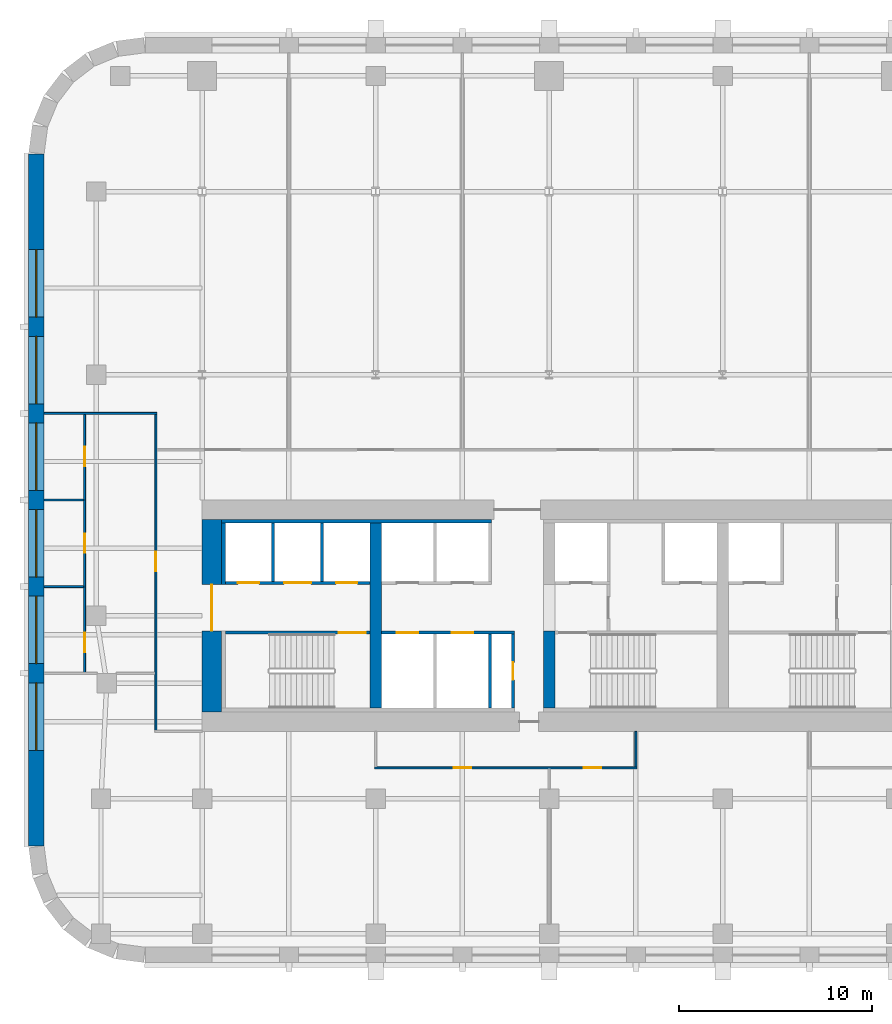
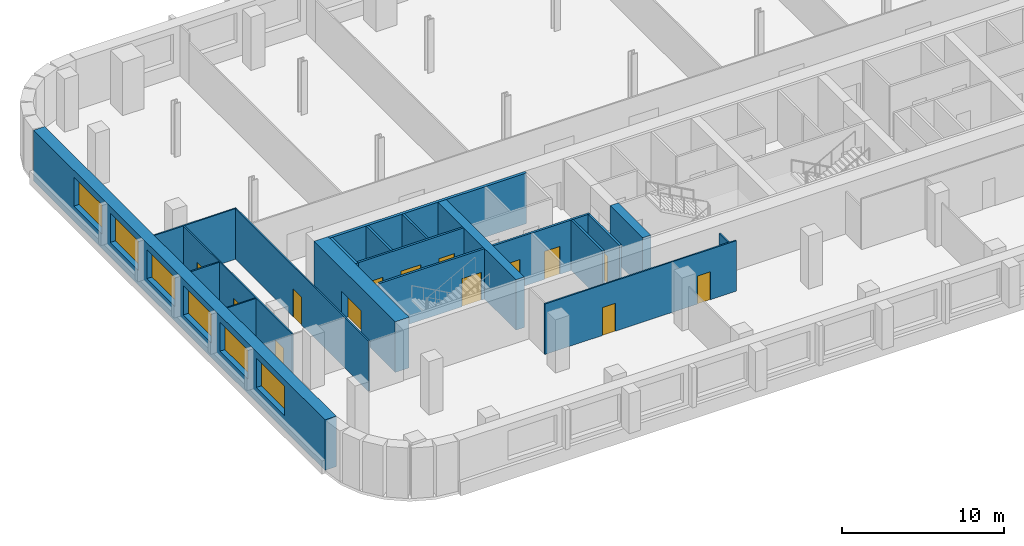
# One storey, part 3 of 9: 20 walls, 14 doors, 6 windows, 20 openings.
"""IFC4 building model written with IfcOpenShell, lengths in metres."""

from ifc_helpers import new_model, si_unit, direction, frame, frame_2d, origin, place, context, subcontext, project, spatial, rectangle, extrude, material, layer, layer_set, type_object, element, fill, save


model = new_model("IFC4")

# Units and contexts
model_context = context("Model", 3, precision=1e-05, world=origin(), true_north=direction((0.0, 1.0)))
body_context = subcontext(model_context, "Body", "Model", "MODEL_VIEW")
ifc_project = project(units=[si_unit("LENGTHUNIT", "METRE"), si_unit("AREAUNIT", "SQUARE_METRE"), si_unit("VOLUMEUNIT", "CUBIC_METRE"), si_unit("PLANEANGLEUNIT", "RADIAN"), si_unit("MASSUNIT", "GRAM", prefix="KILO")], contexts=[model_context])

# Site, building, storey
site_placement = place(None, origin())
site = spatial("IfcSite", under=ifc_project, at=site_placement, CompositionType="ELEMENT")
building_placement = place(site_placement, origin())
building = spatial("IfcBuilding", under=site, at=building_placement, Name="Zellij Exchange Tower", CompositionType="ELEMENT")
storey_placement = place(building_placement, frame((0.0, 0.0, 140.5)))
storey = spatial("IfcBuildingStorey", under=building, at=storey_placement, Name="L31", CompositionType="ELEMENT", Elevation=140.5)

# Walls
ifc_material_1 = material(Name="Concrete C70/85", Category="concrete")
ifc_layer_1 = layer(ifc_material_1, 0.60009765625)
ifc_layer_set_1 = layer_set([ifc_layer_1], Name="Concrete C70/85")
wall_type_1 = type_object("IfcWallType", Name="CORE-CW 600 C70/85", PredefinedType="SHEAR", material=ifc_layer_set_1)
wall_1_placement = place(storey_placement, frame((-18.0, -12.800048828125, 0.0), z_axis=(0.0, 0.0, 1.0), x_axis=(0.0, 1.0, 0.0)))
element("IfcWall", 1, at=wall_1_placement, inside=storey, type_object=wall_type_1, Name="Core cross wall x -18 L31", PredefinedType="SHEAR", context=body_context, shape_type="SweptSolid", body=[
    extrude(rectangle(XDim=9.60009765625, YDim=0.60009765625, at=frame_2d((4.800048828125, 0.0))), origin(), (0.0, 0.0, 1.0), 3.800048828125),
])
wall_2_placement = place(storey_placement, frame((-9.0, -12.800048828125, 0.0), z_axis=(0.0, 0.0, 1.0), x_axis=(0.0, 1.0, 0.0)))
element("IfcWall", 2, at=wall_2_placement, inside=storey, type_object=wall_type_1, Name="Core cross wall pier x -9 a L31", PredefinedType="SHEAR", context=body_context, shape_type="SweptSolid", body=[
    extrude(rectangle(XDim=4.0, YDim=0.60009765625, at=frame_2d((2.0, 0.0))), origin(), (0.0, 0.0, 1.0), 3.800048828125),
])
ifc_material_2 = material(Name="Concrete C30/37", Category="concrete")
ifc_layer_2 = layer(ifc_material_2, 0.199951171875)
ifc_layer_set_2 = layer_set([ifc_layer_2], Name="Concrete C30/37")
wall_type_2 = type_object("IfcWallType", Name="CORE-LW 200 C30/37", PredefinedType="SHEAR", material=ifc_layer_set_2)
wall_3_placement = place(storey_placement, frame((-26.0, -3.10009765625, 0.0), z_axis=(0.0, 0.0, 1.0), x_axis=(1.0, 0.0, 0.0)))
element("IfcWall", 3, at=wall_3_placement, inside=storey, type_object=wall_type_2, Name="Core wall lining front.0 L31", PredefinedType="SHEAR", context=body_context, shape_type="SweptSolid", body=[
    extrude(rectangle(XDim=14.0, YDim=0.199951171875, at=frame_2d((7.0, 0.0))), origin(), (0.0, 0.0, 1.0), 3.800048828125),
])
wall_4_placement = place(storey_placement, frame((-25.89990234375, -6.375, 0.0), z_axis=(0.0, 0.0, 1.0), x_axis=(0.0, 1.0, 0.0)))
element("IfcWall", 4, at=wall_4_placement, inside=storey, type_object=wall_type_2, Name="Core wall lining end w.1 L31", PredefinedType="SHEAR", context=body_context, shape_type="SweptSolid", body=[
    extrude(rectangle(XDim=3.175048828125, YDim=0.199951171875, at=frame_2d((1.58740234375, 0.0))), origin(), (0.0, 0.0, 1.0), 3.800048828125),
])

# Wall, opening, door
ifc_material_3 = material(Name="Gypsum board partition")
ifc_layer_3 = layer(ifc_material_3, 0.14990234375)
ifc_layer_set_3 = layer_set([ifc_layer_3], Name="Gypsum board partition")
wall_type_3 = type_object("IfcWallType", Name="CORE-PW 150 Lift lobby wall", PredefinedType="PARTITIONING", material=ifc_layer_set_3)
wall_5_placement = place(storey_placement, frame((-10.875, -12.800048828125, 0.0), z_axis=(0.0, 0.0, 1.0), x_axis=(0.0, 1.0, 0.0)))
wall_5 = element("IfcWall", 5, at=wall_5_placement, inside=storey, type_object=wall_type_3, Name="Lift lobby wall L31", PredefinedType="PARTITIONING", context=body_context, shape_type="SweptSolid", body=[
    extrude(rectangle(XDim=3.85009765625, YDim=0.14990234375, at=frame_2d((1.925048828125, 0.0))), origin(), (0.0, 0.0, 1.0), 3.800048828125),
])
opening_1_placement = place(wall_5_placement, frame((1.47509765625, 0.0, 0.0)))
opening_1 = element("IfcOpeningElement", 6, at=opening_1_placement, cuts=wall_5, Name="Opening CA-16.10", PredefinedType="OPENING", context=body_context, shape_type="SweptSolid", body=[
    extrude(rectangle(XDim=0.89990234375, YDim=2.10009765625, at=frame_2d((0.449951171875, 1.050048828125))), frame((0.0, 0.0869140625, 0.0), z_axis=(0.0, -1.0, 0.0), x_axis=(1.0, 0.0, 0.0)), (0.0, 0.0, 1.0), 0.173828125),
])
ifc_material_4 = material(Name="Hollow metal fire door")
door_type_1 = type_object("IfcDoorType", Name="CORE-D RD Riser door 900x2100 1.5 HR", OperationType="NOTDEFINED", PredefinedType="DOOR", material=ifc_material_4)
door_1_placement = place(opening_1_placement, origin())
door_1 = element("IfcDoor", 7, at=door_1_placement, inside=storey, type_object=door_type_1, Name="Riser door CA-16.10", OperationType="SINGLE_SWING_RIGHT", OverallHeight=2.10009765625, OverallWidth=0.89990234375, PredefinedType="DOOR", context=body_context, shape_type="SweptSolid", body=[
    extrude(rectangle(XDim=0.89990234375, YDim=2.10009765625, at=frame_2d((0.449951171875, 1.050048828125))), frame((0.0, 0.02490234375, 0.0), z_axis=(0.0, -1.0, 0.0), x_axis=(1.0, 0.0, 0.0)), (0.0, 0.0, 1.0), 0.050048828125),
])
fill(opening_1, door_1)

# Walls
ifc_material_5 = material(Name="Gypsum shaft wall system")
ifc_layer_4 = layer(ifc_material_5, 0.14990234375)
ifc_layer_set_4 = layer_set([ifc_layer_4], Name="Gypsum shaft wall system")
wall_type_4 = type_object("IfcWallType", Name="CORE-PW 150 Lift shaft wall", PredefinedType="PARTITIONING", material=ifc_layer_set_4)
for number, where, z_axis, x_axis, name in (
    (8, (-20.77490234375, -6.22509765625, 0.0), (0.0, 0.0, 1.0), (0.0, 1.0, 0.0), "Lift shaft wall L31"),
    (9, (-23.324951171875, -6.22509765625, 0.0), (0.0, 0.0, 1.0), (0.0, 1.0, 0.0), "Lift shaft wall L31"),
):
    element("IfcWall", number, at=place(storey_placement, frame(where, z_axis=z_axis, x_axis=x_axis)), inside=storey, type_object=wall_type_4, Name=name, PredefinedType="PARTITIONING", context=body_context, shape_type="SweptSolid", body=[
        extrude(rectangle(XDim=3.025146484375, YDim=0.14990234375, at=frame_2d((1.5126953125, 0.0))), origin(), (0.0, 0.0, 1.0), 3.800048828125),
    ])
wall_6_placement = place(storey_placement, frame((-12.074951171875, -12.800048828125, 0.0), z_axis=(0.0, 0.0, 1.0), x_axis=(0.0, 1.0, 0.0)))
element("IfcWall", 10, at=wall_6_placement, inside=storey, type_object=wall_type_4, Name="Lift shaft wall L31", PredefinedType="PARTITIONING", context=body_context, shape_type="SweptSolid", body=[
    extrude(rectangle(XDim=3.85009765625, YDim=0.14990234375, at=frame_2d((1.925048828125, 0.0))), origin(), (0.0, 0.0, 1.0), 3.800048828125),
])

# Wall, openings, doors
wall_7_placement = place(storey_placement, frame((-25.800048828125, -6.300048828125, 0.0), z_axis=(0.0, 0.0, 1.0), x_axis=(1.0, 0.0, 0.0)))
wall_7 = element("IfcWall", 11, at=wall_7_placement, inside=storey, type_object=wall_type_4, Name="Lift shaft wall L31", PredefinedType="PARTITIONING", context=body_context, shape_type="SweptSolid", body=[
    extrude(rectangle(XDim=7.5, YDim=0.14990234375, at=frame_2d((3.75, 0.0))), origin(), (0.0, 0.0, 1.0), 3.800048828125),
])
opening_2_placement = place(wall_7_placement, frame((0.64990234375, 0.0, 0.0)))
opening_2 = element("IfcOpeningElement", 12, at=opening_2_placement, cuts=wall_7, Name="Opening CA-16.02", PredefinedType="OPENING", context=body_context, shape_type="SweptSolid", body=[
    extrude(rectangle(XDim=1.10009765625, YDim=2.10009765625, at=frame_2d((0.550048828125, 1.050048828125))), frame((0.0, 0.0869140625, 0.0), z_axis=(0.0, -1.0, 0.0), x_axis=(1.0, 0.0, 0.0)), (0.0, 0.0, 1.0), 0.173828125),
])
opening_3_placement = place(wall_7_placement, frame((3.050048828125, 0.0, 0.0)))
opening_3 = element("IfcOpeningElement", 13, at=opening_3_placement, cuts=wall_7, Name="Opening CA-16.03", PredefinedType="OPENING", context=body_context, shape_type="SweptSolid", body=[
    extrude(rectangle(XDim=1.39990234375, YDim=2.10009765625, at=frame_2d((0.699951171875, 1.050048828125))), frame((0.0, 0.0869140625, 0.0), z_axis=(0.0, -1.0, 0.0), x_axis=(1.0, 0.0, 0.0)), (0.0, 0.0, 1.0), 0.173828125),
])
opening_4_placement = place(wall_7_placement, frame((5.75, 0.0, 0.0)))
opening_4 = element("IfcOpeningElement", 14, at=opening_4_placement, cuts=wall_7, Name="Opening CA-16.04", PredefinedType="OPENING", context=body_context, shape_type="SweptSolid", body=[
    extrude(rectangle(XDim=1.10009765625, YDim=2.10009765625, at=frame_2d((0.550048828125, 1.050048828125))), frame((0.0, 0.0869140625, 0.0), z_axis=(0.0, -1.0, 0.0), x_axis=(1.0, 0.0, 0.0)), (0.0, 0.0, 1.0), 0.173828125),
])
door_type_2 = type_object("IfcDoorType", Name="CORE-D LD Lift landing door 1100x2100 1.5 HR", OperationType="NOTDEFINED", PredefinedType="DOOR", material=ifc_material_4)
door_2_placement = place(opening_2_placement, origin())
door_2 = element("IfcDoor", 15, at=door_2_placement, inside=storey, type_object=door_type_2, Name="Lift landing door CA-16.02", OperationType="SLIDING_TO_RIGHT", OverallHeight=2.10009765625, OverallWidth=1.10009765625, PredefinedType="DOOR", context=body_context, shape_type="SweptSolid", body=[
    extrude(rectangle(XDim=1.10009765625, YDim=2.10009765625, at=frame_2d((0.550048828125, 1.050048828125))), frame((0.0, 0.02490234375, 0.0), z_axis=(0.0, -1.0, 0.0), x_axis=(1.0, 0.0, 0.0)), (0.0, 0.0, 1.0), 0.050048828125),
])
fill(opening_2, door_2)
door_3_placement = place(opening_4_placement, origin())
door_3 = element("IfcDoor", 16, at=door_3_placement, inside=storey, type_object=door_type_2, Name="Lift landing door CA-16.04", OperationType="SLIDING_TO_RIGHT", OverallHeight=2.10009765625, OverallWidth=1.10009765625, PredefinedType="DOOR", context=body_context, shape_type="SweptSolid", body=[
    extrude(rectangle(XDim=1.10009765625, YDim=2.10009765625, at=frame_2d((0.550048828125, 1.050048828125))), frame((0.0, 0.02490234375, 0.0), z_axis=(0.0, -1.0, 0.0), x_axis=(1.0, 0.0, 0.0)), (0.0, 0.0, 1.0), 0.050048828125),
])
fill(opening_4, door_3)
door_type_3 = type_object("IfcDoorType", Name="CORE-D LD2 Service lift landing door 1400x2100 1.5 HR", OperationType="NOTDEFINED", PredefinedType="DOOR", material=ifc_material_4)
door_4_placement = place(opening_3_placement, origin())
door_4 = element("IfcDoor", 17, at=door_4_placement, inside=storey, type_object=door_type_3, Name="Service lift landing door CA-16.03", OperationType="SLIDING_TO_LEFT", OverallHeight=2.10009765625, OverallWidth=1.39990234375, PredefinedType="DOOR", context=body_context, shape_type="SweptSolid", body=[
    extrude(rectangle(XDim=1.39990234375, YDim=2.10009765625, at=frame_2d((0.699951171875, 1.050048828125))), frame((0.0, 0.02490234375, 0.0), z_axis=(0.0, -1.0, 0.0), x_axis=(1.0, 0.0, 0.0)), (0.0, 0.0, 1.0), 0.050048828125),
])
fill(opening_3, door_4)

wall_8_placement = place(storey_placement, frame((-17.699951171875, -8.875, 0.0), z_axis=(0.0, 0.0, 1.0), x_axis=(1.0, 0.0, 0.0)))
wall_8 = element("IfcWall", 18, at=wall_8_placement, inside=storey, type_object=wall_type_4, Name="Lift shaft wall L31", PredefinedType="PARTITIONING", context=body_context, shape_type="SweptSolid", body=[
    extrude(rectangle(XDim=6.89990234375, YDim=0.14990234375, at=frame_2d((3.449951171875, 0.0))), origin(), (0.0, 0.0, 1.0), 3.800048828125),
])
opening_5_placement = place(wall_8_placement, frame((0.800048828125, 0.0, 0.0)))
opening_5 = element("IfcOpeningElement", 19, at=opening_5_placement, cuts=wall_8, Name="Opening CA-16.06", PredefinedType="OPENING", context=body_context, shape_type="SweptSolid", body=[
    extrude(rectangle(XDim=1.10009765625, YDim=2.10009765625, at=frame_2d((0.550048828125, 1.050048828125))), frame((0.0, 0.0869140625, 0.0), z_axis=(0.0, -1.0, 0.0), x_axis=(1.0, 0.0, 0.0)), (0.0, 0.0, 1.0), 0.173828125),
])
opening_6_placement = place(wall_8_placement, frame((3.64990234375, 0.0, 0.0)))
opening_6 = element("IfcOpeningElement", 20, at=opening_6_placement, cuts=wall_8, Name="Opening CA-16.08", PredefinedType="OPENING", context=body_context, shape_type="SweptSolid", body=[
    extrude(rectangle(XDim=1.10009765625, YDim=2.10009765625, at=frame_2d((0.550048828125, 1.050048828125))), frame((0.0, 0.0869140625, 0.0), z_axis=(0.0, -1.0, 0.0), x_axis=(1.0, 0.0, 0.0)), (0.0, 0.0, 1.0), 0.173828125),
])
door_5_placement = place(opening_5_placement, origin())
door_5 = element("IfcDoor", 21, at=door_5_placement, inside=storey, type_object=door_type_2, Name="Lift landing door CA-16.06", OperationType="SLIDING_TO_RIGHT", OverallHeight=2.10009765625, OverallWidth=1.10009765625, PredefinedType="DOOR", context=body_context, shape_type="SweptSolid", body=[
    extrude(rectangle(XDim=1.10009765625, YDim=2.10009765625, at=frame_2d((0.550048828125, 1.050048828125))), frame((0.0, 0.02490234375, 0.0), z_axis=(0.0, -1.0, 0.0), x_axis=(1.0, 0.0, 0.0)), (0.0, 0.0, 1.0), 0.050048828125),
])
fill(opening_5, door_5)
door_6_placement = place(opening_6_placement, origin())
door_6 = element("IfcDoor", 22, at=door_6_placement, inside=storey, type_object=door_type_2, Name="Lift landing door CA-16.08", OperationType="SLIDING_TO_RIGHT", OverallHeight=2.10009765625, OverallWidth=1.10009765625, PredefinedType="DOOR", context=body_context, shape_type="SweptSolid", body=[
    extrude(rectangle(XDim=1.10009765625, YDim=2.10009765625, at=frame_2d((0.550048828125, 1.050048828125))), frame((0.0, 0.02490234375, 0.0), z_axis=(0.0, -1.0, 0.0), x_axis=(1.0, 0.0, 0.0)), (0.0, 0.0, 1.0), 0.050048828125),
])
fill(opening_6, door_6)

# Wall, opening, door
ifc_layer_5 = layer(ifc_material_1, 1.0)
ifc_layer_set_5 = layer_set([ifc_layer_5], Name="Concrete C70/85")
wall_type_5 = type_object("IfcWallType", Name="CORE-SW 1000 C70/85", PredefinedType="SHEAR", material=ifc_layer_set_5)
wall_9_placement = place(storey_placement, frame((-26.5, -13.0, 0.0), z_axis=(0.0, 0.0, 1.0), x_axis=(0.0, 1.0, 0.0)))
wall_9 = element("IfcWall", 23, at=wall_9_placement, inside=storey, type_object=wall_type_5, Name="Core shear wall end w L31", PredefinedType="SHEAR", context=body_context, shape_type="SweptSolid", body=[
    extrude(rectangle(XDim=10.0, YDim=1.0, at=frame_2d((5.0, 0.0))), origin(), (0.0, 0.0, 1.0), 3.800048828125),
])
opening_7_placement = place(wall_9_placement, frame((4.2119140625, 0.0, 0.0)))
opening_7 = element("IfcOpeningElement", 24, at=opening_7_placement, cuts=wall_9, Name="Opening CA-16.01", PredefinedType="OPENING", context=body_context, shape_type="SweptSolid", body=[
    extrude(rectangle(XDim=2.39990234375, YDim=2.10009765625, at=frame_2d((1.199951171875, 1.050048828125))), frame((0.0, 0.511962890625, 0.0), z_axis=(0.0, -1.0, 0.0), x_axis=(1.0, 0.0, 0.0)), (0.0, 0.0, 1.0), 1.02392578125),
])
door_type_4 = type_object("IfcDoorType", Name="CORE-D CE Core entrance door 2400x2100 20 MIN", OperationType="NOTDEFINED", PredefinedType="DOOR", material=ifc_material_4)
door_7_placement = place(opening_7_placement, origin())
door_7 = element("IfcDoor", 25, at=door_7_placement, inside=storey, type_object=door_type_4, Name="Core entrance door CA-16.01", OperationType="DOUBLE_DOOR_SINGLE_SWING", OverallHeight=2.10009765625, OverallWidth=2.39990234375, PredefinedType="DOOR", context=body_context, shape_type="SweptSolid", body=[
    extrude(rectangle(XDim=2.39990234375, YDim=2.10009765625, at=frame_2d((1.199951171875, 1.050048828125))), frame((0.0, 0.02490234375, 0.0), z_axis=(0.0, -1.0, 0.0), x_axis=(1.0, 0.0, 0.0)), (0.0, 0.0, 1.0), 0.050048828125),
])
fill(opening_7, door_7)

ifc_layer_6 = layer(ifc_material_1, 0.14990234375)
ifc_layer_set_6 = layer_set([ifc_layer_6], Name="Concrete C70/85")
wall_type_6 = type_object("IfcWallType", Name="CORE-SWS 150 C70/85", PredefinedType="SHEAR", material=ifc_layer_set_6)
wall_10_placement = place(storey_placement, frame((-25.800048828125, -8.875, 0.0), z_axis=(0.0, 0.0, 1.0), x_axis=(1.0, 0.0, 0.0)))
wall_10 = element("IfcWall", 26, at=wall_10_placement, inside=storey, type_object=wall_type_6, Name="Stair enclosure wall L31", PredefinedType="SHEAR", context=body_context, shape_type="SweptSolid", body=[
    extrude(rectangle(XDim=7.5, YDim=0.14990234375, at=frame_2d((3.75, 0.0))), origin(), (0.0, 0.0, 1.0), 3.800048828125),
])
opening_8_placement = place(wall_10_placement, frame((5.875, 0.0, 0.0)))
opening_8 = element("IfcOpeningElement", 27, at=opening_8_placement, cuts=wall_10, Name="Opening CA-16.05", PredefinedType="OPENING", context=body_context, shape_type="SweptSolid", body=[
    extrude(rectangle(XDim=1.39990234375, YDim=2.10009765625, at=frame_2d((0.699951171875, 1.050048828125))), frame((0.0, 0.0869140625, 0.0), z_axis=(0.0, -1.0, 0.0), x_axis=(1.0, 0.0, 0.0)), (0.0, 0.0, 1.0), 0.173828125),
])
door_type_5 = type_object("IfcDoorType", Name="CORE-D SD Stair door 1400x2100 1.5 HR", OperationType="NOTDEFINED", PredefinedType="DOOR", material=ifc_material_4)
door_8_placement = place(opening_8_placement, origin())
door_8 = element("IfcDoor", 28, at=door_8_placement, inside=storey, type_object=door_type_5, Name="Stair door CA-16.05", OperationType="DOUBLE_DOOR_SINGLE_SWING", OverallHeight=2.10009765625, OverallWidth=1.39990234375, PredefinedType="DOOR", context=body_context, shape_type="SweptSolid", body=[
    extrude(rectangle(XDim=1.39990234375, YDim=2.10009765625, at=frame_2d((0.699951171875, 1.050048828125))), frame((0.0, 0.02490234375, 0.0), z_axis=(0.0, -1.0, 0.0), x_axis=(1.0, 0.0, 0.0)), (0.0, 0.0, 1.0), 0.050048828125),
])
fill(opening_8, door_8)

# Wall, openings, windows
ifc_material_6 = material(Name="Precast concrete C40/50", Category="concrete")
ifc_layer_7 = layer(ifc_material_6, 0.800048828125)
ifc_layer_set_7 = layer_set([ifc_layer_7], Name="Precast concrete C40/50")
wall_type_7 = type_object("IfcWallType", Name="ENV-EW1 Precast stone-piered wall 800", PredefinedType="SOLIDWALL", material=ifc_layer_set_7)
wall_11_placement = place(storey_placement, frame((-35.60009765625, 15.947509765625, 0.0), z_axis=(0.0, 0.0, 1.0), x_axis=(0.0, -1.0, 0.0)))
wall_11 = element("IfcWall", 29, at=wall_11_placement, inside=storey, type_object=wall_type_7, Name="fac.L31.26", PredefinedType="SOLIDWALL", context=body_context, shape_type="SweptSolid", body=[
    extrude(rectangle(XDim=35.89501953125, YDim=0.800048828125, at=frame_2d((17.947509765625, 0.0))), origin(), (0.0, 0.0, 1.0), 3.800048828125),
])
opening_9_placement = place(wall_11_placement, frame((4.9638671875, 0.0, 1.10009765625)))
opening_9 = element("IfcOpeningElement", 30, at=opening_9_placement, cuts=wall_11, Name="Opening FZ2.31", PredefinedType="OPENING", context=body_context, shape_type="SweptSolid", body=[
    extrude(rectangle(XDim=3.5, YDim=2.199951171875, at=frame_2d((1.75, 1.10009765625))), frame((0.0, 0.412109375, 0.0), z_axis=(0.0, -1.0, 0.0), x_axis=(1.0, 0.0, 0.0)), (0.0, 0.0, 1.0), 0.823974609375),
])
opening_10_placement = place(wall_11_placement, frame((9.45751953125, 0.0, 1.10009765625)))
opening_10 = element("IfcOpeningElement", 31, at=opening_10_placement, cuts=wall_11, Name="Opening FZ2.32", PredefinedType="OPENING", context=body_context, shape_type="SweptSolid", body=[
    extrude(rectangle(XDim=3.5, YDim=2.199951171875, at=frame_2d((1.75, 1.10009765625))), frame((0.0, 0.412109375, 0.0), z_axis=(0.0, -1.0, 0.0), x_axis=(1.0, 0.0, 0.0)), (0.0, 0.0, 1.0), 0.823974609375),
])
opening_11_placement = place(wall_11_placement, frame((13.950927734375, 0.0, 1.10009765625)))
opening_11 = element("IfcOpeningElement", 32, at=opening_11_placement, cuts=wall_11, Name="Opening FZ2.33", PredefinedType="OPENING", context=body_context, shape_type="SweptSolid", body=[
    extrude(rectangle(XDim=3.5, YDim=2.199951171875, at=frame_2d((1.75, 1.10009765625))), frame((0.0, 0.412109375, 0.0), z_axis=(0.0, -1.0, 0.0), x_axis=(1.0, 0.0, 0.0)), (0.0, 0.0, 1.0), 0.823974609375),
])
opening_12_placement = place(wall_11_placement, frame((18.4443359375, 0.0, 1.10009765625)))
opening_12 = element("IfcOpeningElement", 33, at=opening_12_placement, cuts=wall_11, Name="Opening FZ2.34", PredefinedType="OPENING", context=body_context, shape_type="SweptSolid", body=[
    extrude(rectangle(XDim=3.5, YDim=2.199951171875, at=frame_2d((1.75, 1.10009765625))), frame((0.0, 0.412109375, 0.0), z_axis=(0.0, -1.0, 0.0), x_axis=(1.0, 0.0, 0.0)), (0.0, 0.0, 1.0), 0.823974609375),
])
opening_13_placement = place(wall_11_placement, frame((22.937744140625, 0.0, 1.10009765625)))
opening_13 = element("IfcOpeningElement", 34, at=opening_13_placement, cuts=wall_11, Name="Opening FZ2.35", PredefinedType="OPENING", context=body_context, shape_type="SweptSolid", body=[
    extrude(rectangle(XDim=3.5, YDim=2.199951171875, at=frame_2d((1.75, 1.10009765625))), frame((0.0, 0.412109375, 0.0), z_axis=(0.0, -1.0, 0.0), x_axis=(1.0, 0.0, 0.0)), (0.0, 0.0, 1.0), 0.823974609375),
])
opening_14_placement = place(wall_11_placement, frame((27.43115234375, 0.0, 1.10009765625)))
opening_14 = element("IfcOpeningElement", 35, at=opening_14_placement, cuts=wall_11, Name="Opening FZ2.36", PredefinedType="OPENING", context=body_context, shape_type="SweptSolid", body=[
    extrude(rectangle(XDim=3.5, YDim=2.199951171875, at=frame_2d((1.75, 1.10009765625))), frame((0.0, 0.412109375, 0.0), z_axis=(0.0, -1.0, 0.0), x_axis=(1.0, 0.0, 0.0)), (0.0, 0.0, 1.0), 0.823974609375),
])
ifc_material_7 = material(Name="Aluminium frame with insulating glass", Category="aluminium")
window_type = type_object("IfcWindowType", Name="ENV-W7 Window 3500x2200", PartitioningType="SINGLE_PANEL", PredefinedType="WINDOW", material=ifc_material_7)
window_1_placement = place(opening_9_placement, origin())
window_1 = element("IfcWindow", 36, at=window_1_placement, inside=storey, type_object=window_type, Name="Window FZ2.31", OverallHeight=2.199951171875, OverallWidth=3.5, PartitioningType="SINGLE_PANEL", PredefinedType="WINDOW", context=body_context, shape_type="SweptSolid", body=[
    extrude(rectangle(XDim=3.5, YDim=2.199951171875, at=frame_2d((1.75, 1.10009765625))), frame((0.0, 0.030029296875, 0.0), z_axis=(0.0, -1.0, 0.0), x_axis=(1.0, 0.0, 0.0)), (0.0, 0.0, 1.0), 0.06005859375),
])
fill(opening_9, window_1)
window_2_placement = place(opening_10_placement, origin())
window_2 = element("IfcWindow", 37, at=window_2_placement, inside=storey, type_object=window_type, Name="Window FZ2.32", OverallHeight=2.199951171875, OverallWidth=3.5, PartitioningType="SINGLE_PANEL", PredefinedType="WINDOW", context=body_context, shape_type="SweptSolid", body=[
    extrude(rectangle(XDim=3.5, YDim=2.199951171875, at=frame_2d((1.75, 1.10009765625))), frame((0.0, 0.030029296875, 0.0), z_axis=(0.0, -1.0, 0.0), x_axis=(1.0, 0.0, 0.0)), (0.0, 0.0, 1.0), 0.06005859375),
])
fill(opening_10, window_2)
window_3_placement = place(opening_11_placement, origin())
window_3 = element("IfcWindow", 38, at=window_3_placement, inside=storey, type_object=window_type, Name="Window FZ2.33", OverallHeight=2.199951171875, OverallWidth=3.5, PartitioningType="SINGLE_PANEL", PredefinedType="WINDOW", context=body_context, shape_type="SweptSolid", body=[
    extrude(rectangle(XDim=3.5, YDim=2.199951171875, at=frame_2d((1.75, 1.10009765625))), frame((0.0, 0.030029296875, 0.0), z_axis=(0.0, -1.0, 0.0), x_axis=(1.0, 0.0, 0.0)), (0.0, 0.0, 1.0), 0.06005859375),
])
fill(opening_11, window_3)
window_4_placement = place(opening_12_placement, origin())
window_4 = element("IfcWindow", 39, at=window_4_placement, inside=storey, type_object=window_type, Name="Window FZ2.34", OverallHeight=2.199951171875, OverallWidth=3.5, PartitioningType="SINGLE_PANEL", PredefinedType="WINDOW", context=body_context, shape_type="SweptSolid", body=[
    extrude(rectangle(XDim=3.5, YDim=2.199951171875, at=frame_2d((1.75, 1.10009765625))), frame((0.0, 0.030029296875, 0.0), z_axis=(0.0, -1.0, 0.0), x_axis=(1.0, 0.0, 0.0)), (0.0, 0.0, 1.0), 0.06005859375),
])
fill(opening_12, window_4)
window_5_placement = place(opening_13_placement, origin())
window_5 = element("IfcWindow", 40, at=window_5_placement, inside=storey, type_object=window_type, Name="Window FZ2.35", OverallHeight=2.199951171875, OverallWidth=3.5, PartitioningType="SINGLE_PANEL", PredefinedType="WINDOW", context=body_context, shape_type="SweptSolid", body=[
    extrude(rectangle(XDim=3.5, YDim=2.199951171875, at=frame_2d((1.75, 1.10009765625))), frame((0.0, 0.030029296875, 0.0), z_axis=(0.0, -1.0, 0.0), x_axis=(1.0, 0.0, 0.0)), (0.0, 0.0, 1.0), 0.06005859375),
])
fill(opening_13, window_5)
window_6_placement = place(opening_14_placement, origin())
window_6 = element("IfcWindow", 41, at=window_6_placement, inside=storey, type_object=window_type, Name="Window FZ2.36", OverallHeight=2.199951171875, OverallWidth=3.5, PartitioningType="SINGLE_PANEL", PredefinedType="WINDOW", context=body_context, shape_type="SweptSolid", body=[
    extrude(rectangle(XDim=3.5, YDim=2.199951171875, at=frame_2d((1.75, 1.10009765625))), frame((0.0, 0.030029296875, 0.0), z_axis=(0.0, -1.0, 0.0), x_axis=(1.0, 0.0, 0.0)), (0.0, 0.0, 1.0), 0.06005859375),
])
fill(opening_14, window_6)

# Wall, openings, doors
ifc_material_8 = material(Name="Gypsum board partition on steel studs", Category="steel")
ifc_layer_8 = layer(ifc_material_8, 0.10009765625)
ifc_layer_set_8 = layer_set([ifc_layer_8], Name="Gypsum board partition on steel studs")
wall_type_8 = type_object("IfcWallType", Name="FIT-PARTITION-100", PredefinedType="PARTITIONING", material=ifc_layer_set_8)
wall_12_placement = place(storey_placement, frame((-18.050048828125, -15.89990234375, 0.0), z_axis=(0.0, 0.0, 1.0), x_axis=(1.0, 0.0, 0.0)))
wall_12 = element("IfcWall", 42, at=wall_12_placement, inside=storey, type_object=wall_type_8, Name="FIT-PARTITION-100 005", PredefinedType="PARTITIONING", context=body_context, shape_type="SweptSolid", body=[
    extrude(rectangle(XDim=13.60009765625, YDim=0.10009765625, at=frame_2d((6.800048828125, 0.0))), origin(), (0.0, 0.0, 1.0), 3.800048828125),
])
opening_15_placement = place(wall_12_placement, frame((4.10009765625, 0.0, 0.0)))
opening_15 = element("IfcOpeningElement", 43, at=opening_15_placement, cuts=wall_12, Name="Opening TG.01", PredefinedType="OPENING", context=body_context, shape_type="SweptSolid", body=[
    extrude(rectangle(XDim=0.89990234375, YDim=2.10009765625, at=frame_2d((0.449951171875, 1.050048828125))), frame((0.0, 0.06201171875, 0.0), z_axis=(0.0, -1.0, 0.0), x_axis=(1.0, 0.0, 0.0)), (0.0, 0.0, 1.0), 0.1240234375),
])
opening_16_placement = place(wall_12_placement, frame((10.85009765625, 0.0, 0.0)))
opening_16 = element("IfcOpeningElement", 44, at=opening_16_placement, cuts=wall_12, Name="Opening TG.02", PredefinedType="OPENING", context=body_context, shape_type="SweptSolid", body=[
    extrude(rectangle(XDim=0.89990234375, YDim=2.10009765625, at=frame_2d((0.449951171875, 1.050048828125))), frame((0.0, 0.06201171875, 0.0), z_axis=(0.0, -1.0, 0.0), x_axis=(1.0, 0.0, 0.0)), (0.0, 0.0, 1.0), 0.1240234375),
])
ifc_material_9 = material(Name="Timber door set", Category="wood")
door_type_6 = type_object("IfcDoorType", Name="FIT-D1-ROOM-900X2100", OperationType="SINGLE_SWING_LEFT", PredefinedType="DOOR", material=ifc_material_9)
door_9_placement = place(opening_15_placement, origin())
door_9 = element("IfcDoor", 45, at=door_9_placement, inside=storey, type_object=door_type_6, Name="Door TG.01", OperationType="SINGLE_SWING_LEFT", OverallHeight=2.10009765625, OverallWidth=0.89990234375, PredefinedType="DOOR", context=body_context, shape_type="SweptSolid", body=[
    extrude(rectangle(XDim=0.89990234375, YDim=2.10009765625, at=frame_2d((0.449951171875, 1.050048828125))), frame((0.0, 0.02490234375, 0.0), z_axis=(0.0, -1.0, 0.0), x_axis=(1.0, 0.0, 0.0)), (0.0, 0.0, 1.0), 0.050048828125),
])
fill(opening_15, door_9)
door_10_placement = place(opening_16_placement, origin())
door_10 = element("IfcDoor", 46, at=door_10_placement, inside=storey, type_object=door_type_6, Name="Door TG.02", OperationType="SINGLE_SWING_LEFT", OverallHeight=2.10009765625, OverallWidth=0.89990234375, PredefinedType="DOOR", context=body_context, shape_type="SweptSolid", body=[
    extrude(rectangle(XDim=0.89990234375, YDim=2.10009765625, at=frame_2d((0.449951171875, 1.050048828125))), frame((0.0, 0.02490234375, 0.0), z_axis=(0.0, -1.0, 0.0), x_axis=(1.0, 0.0, 0.0)), (0.0, 0.0, 1.0), 0.050048828125),
])
fill(opening_16, door_10)

# Wall
wall_13_placement = place(storey_placement, frame((-4.5, -15.85009765625, 0.0), z_axis=(0.0, 0.0, 1.0), x_axis=(0.0, 1.0, 0.0)))
element("IfcWall", 47, at=wall_13_placement, inside=storey, type_object=wall_type_8, Name="FIT-PARTITION-100 007", PredefinedType="PARTITIONING", context=body_context, shape_type="SweptSolid", body=[
    extrude(rectangle(XDim=1.85009765625, YDim=0.10009765625, at=frame_2d((0.925048828125, 0.0))), origin(), (0.0, 0.0, 1.0), 3.197998046875),
])

# Wall, opening, door
wall_14_placement = place(storey_placement, frame((-29.39990234375, -13.949951171875, 0.0), z_axis=(0.0, 0.0, 1.0), x_axis=(0.0, 1.0, 0.0)))
wall_14 = element("IfcWall", 48, at=wall_14_placement, inside=storey, type_object=wall_type_8, Name="FIT-PARTITION-100 012", PredefinedType="PARTITIONING", context=body_context, shape_type="SweptSolid", body=[
    extrude(rectangle(XDim=16.389892578125, YDim=0.10009765625, at=frame_2d((8.19482421875, 0.0))), origin(), (0.0, 0.0, 1.0), 3.800048828125),
])
opening_17_placement = place(wall_14_placement, frame((8.260009765625, 0.0, 0.0)))
opening_17 = element("IfcOpeningElement", 49, at=opening_17_placement, cuts=wall_14, Name="Opening TG.06", PredefinedType="OPENING", context=body_context, shape_type="SweptSolid", body=[
    extrude(rectangle(XDim=1.0, YDim=2.10009765625, at=frame_2d((0.5, 1.050048828125))), frame((0.0, 0.06201171875, 0.0), z_axis=(0.0, -1.0, 0.0), x_axis=(1.0, 0.0, 0.0)), (0.0, 0.0, 1.0), 0.1240234375),
])
door_type_7 = type_object("IfcDoorType", Name="FIT-D2-WIDE-1000X2100", OperationType="SINGLE_SWING_LEFT", PredefinedType="DOOR", material=ifc_material_9)
door_11_placement = place(opening_17_placement, origin())
door_11 = element("IfcDoor", 50, at=door_11_placement, inside=storey, type_object=door_type_7, Name="Door TG.06", OperationType="SINGLE_SWING_RIGHT", OverallHeight=2.10009765625, OverallWidth=1.0, PredefinedType="DOOR", context=body_context, shape_type="SweptSolid", body=[
    extrude(rectangle(XDim=1.0, YDim=2.10009765625, at=frame_2d((0.5, 1.050048828125))), frame((0.0, 0.02490234375, 0.0), z_axis=(0.0, -1.0, 0.0), x_axis=(1.0, 0.0, 0.0)), (0.0, 0.0, 1.0), 0.050048828125),
])
fill(opening_17, door_11)

# Wall, openings, doors
wall_15_placement = place(storey_placement, frame((-33.10009765625, -10.93994140625, 0.0), z_axis=(0.0, 0.0, 1.0), x_axis=(0.0, 1.0, 0.0)))
wall_15 = element("IfcWall", 51, at=wall_15_placement, inside=storey, type_object=wall_type_8, Name="FIT-PARTITION-100 017", PredefinedType="PARTITIONING", context=body_context, shape_type="SweptSolid", body=[
    extrude(rectangle(XDim=13.3798828125, YDim=0.10009765625, at=frame_2d((6.68994140625, 0.0))), origin(), (0.0, 0.0, 1.0), 3.800048828125),
])
opening_18_placement = place(wall_15_placement, frame((1.050048828125, 0.0, 0.0)))
opening_18 = element("IfcOpeningElement", 52, at=opening_18_placement, cuts=wall_15, Name="Opening TG.04", PredefinedType="OPENING", context=body_context, shape_type="SweptSolid", body=[
    extrude(rectangle(XDim=1.0, YDim=2.10009765625, at=frame_2d((0.5, 1.050048828125))), frame((0.0, 0.06201171875, 0.0), z_axis=(0.0, -1.0, 0.0), x_axis=(1.0, 0.0, 0.0)), (0.0, 0.0, 1.0), 0.1240234375),
])
opening_19_placement = place(wall_15_placement, frame((6.199951171875, 0.0, 0.0)))
opening_19 = element("IfcOpeningElement", 53, at=opening_19_placement, cuts=wall_15, Name="Opening TG.07", PredefinedType="OPENING", context=body_context, shape_type="SweptSolid", body=[
    extrude(rectangle(XDim=1.0, YDim=2.10009765625, at=frame_2d((0.5, 1.050048828125))), frame((0.0, 0.06201171875, 0.0), z_axis=(0.0, -1.0, 0.0), x_axis=(1.0, 0.0, 0.0)), (0.0, 0.0, 1.0), 0.1240234375),
])
opening_20_placement = place(wall_15_placement, frame((10.68994140625, 0.0, 0.0)))
opening_20 = element("IfcOpeningElement", 54, at=opening_20_placement, cuts=wall_15, Name="Opening TG.08", PredefinedType="OPENING", context=body_context, shape_type="SweptSolid", body=[
    extrude(rectangle(XDim=1.0, YDim=2.10009765625, at=frame_2d((0.5, 1.050048828125))), frame((0.0, 0.06201171875, 0.0), z_axis=(0.0, -1.0, 0.0), x_axis=(1.0, 0.0, 0.0)), (0.0, 0.0, 1.0), 0.1240234375),
])
door_12_placement = place(opening_18_placement, origin())
door_12 = element("IfcDoor", 55, at=door_12_placement, inside=storey, type_object=door_type_7, Name="Door TG.04", OperationType="SINGLE_SWING_RIGHT", OverallHeight=2.10009765625, OverallWidth=1.0, PredefinedType="DOOR", context=body_context, shape_type="SweptSolid", body=[
    extrude(rectangle(XDim=1.0, YDim=2.10009765625, at=frame_2d((0.5, 1.050048828125))), frame((0.0, 0.02490234375, 0.0), z_axis=(0.0, -1.0, 0.0), x_axis=(1.0, 0.0, 0.0)), (0.0, 0.0, 1.0), 0.050048828125),
])
fill(opening_18, door_12)
door_13_placement = place(opening_19_placement, origin())
door_13 = element("IfcDoor", 56, at=door_13_placement, inside=storey, type_object=door_type_7, Name="Door TG.07", OperationType="SINGLE_SWING_LEFT", OverallHeight=2.10009765625, OverallWidth=1.0, PredefinedType="DOOR", context=body_context, shape_type="SweptSolid", body=[
    extrude(rectangle(XDim=1.0, YDim=2.10009765625, at=frame_2d((0.5, 1.050048828125))), frame((0.0, 0.02490234375, 0.0), z_axis=(0.0, -1.0, 0.0), x_axis=(1.0, 0.0, 0.0)), (0.0, 0.0, 1.0), 0.050048828125),
])
fill(opening_19, door_13)
door_14_placement = place(opening_20_placement, origin())
door_14 = element("IfcDoor", 57, at=door_14_placement, inside=storey, type_object=door_type_7, Name="Door TG.08", OperationType="SINGLE_SWING_LEFT", OverallHeight=2.10009765625, OverallWidth=1.0, PredefinedType="DOOR", context=body_context, shape_type="SweptSolid", body=[
    extrude(rectangle(XDim=1.0, YDim=2.10009765625, at=frame_2d((0.5, 1.050048828125))), frame((0.0, 0.02490234375, 0.0), z_axis=(0.0, -1.0, 0.0), x_axis=(1.0, 0.0, 0.0)), (0.0, 0.0, 1.0), 0.050048828125),
])
fill(opening_20, door_14)

# Walls
for number, where, z_axis, x_axis, name in (
    (58, (-35.199951171875, -6.489990234375, 0.0), (0.0, 0.0, 1.0), (1.0, 0.0, 0.0), "FIT-PARTITION-100 019"),
    (59, (-35.199951171875, -2.0, 0.0), (0.0, 0.0, 1.0), (1.0, 0.0, 0.0), "FIT-PARTITION-100 022"),
):
    element("IfcWall", number, at=place(storey_placement, frame(where, z_axis=z_axis, x_axis=x_axis)), inside=storey, type_object=wall_type_8, Name=name, PredefinedType="PARTITIONING", context=body_context, shape_type="SweptSolid", body=[
        extrude(rectangle(XDim=2.050048828125, YDim=0.10009765625, at=frame_2d((1.02490234375, 0.0))), origin(), (0.0, 0.0, 1.0), 3.800048828125),
    ])
wall_16_placement = place(storey_placement, frame((-35.199951171875, 2.489990234375, 0.0), z_axis=(0.0, 0.0, 1.0), x_axis=(1.0, 0.0, 0.0)))
element("IfcWall", 60, at=wall_16_placement, inside=storey, type_object=wall_type_8, Name="FIT-PARTITION-100 036", PredefinedType="PARTITIONING", context=body_context, shape_type="SweptSolid", body=[
    extrude(rectangle(XDim=5.849853515625, YDim=0.10009765625, at=frame_2d((2.9248046875, 0.0))), origin(), (0.0, 0.0, 1.0), 3.800048828125),
])

save(model, "model.ifc")
